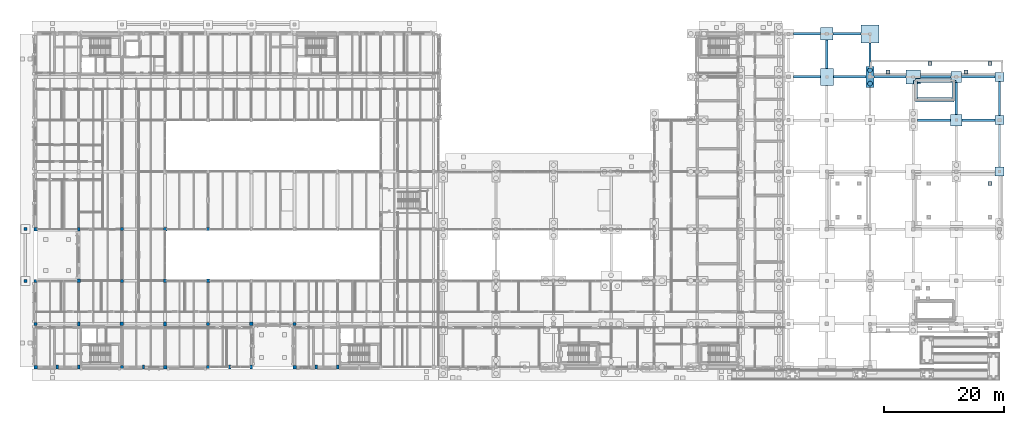
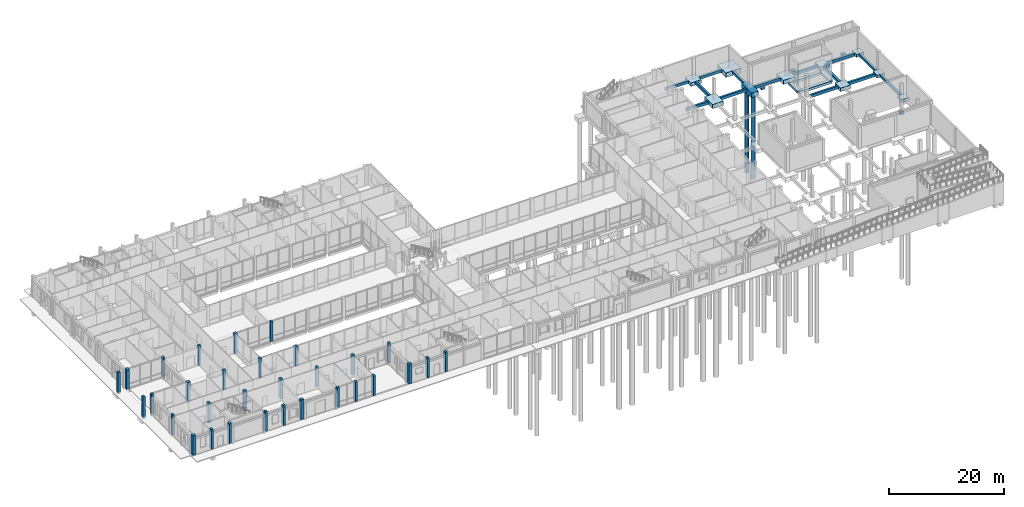
# One storey, part 5 of 104: 33 footings, 31 columns, 2 piles.
"""IFC4 building model written with IfcOpenShell, lengths in metres."""

from ifc_helpers import new_model, si_unit, direction, frame, origin, origin_2d, place, context, subcontext, project, spatial, rectangle, circle, extrude, material, layer, layer_set, material_profile, profile_set, type_object, element, save


model = new_model("IFC4")

# Units and contexts
model_context = context("Model", 3, precision=1e-05, world=origin(), true_north=direction((0.0, 1.0)))
body_context = subcontext(model_context, "Body", "Model", "MODEL_VIEW")
ifc_project = project(units=[si_unit("LENGTHUNIT", "METRE"), si_unit("AREAUNIT", "SQUARE_METRE"), si_unit("VOLUMEUNIT", "CUBIC_METRE"), si_unit("PLANEANGLEUNIT", "RADIAN"), si_unit("MASSUNIT", "GRAM", prefix="KILO")], contexts=[model_context])

# Site, building, storey
site_placement = place(None, origin())
site = spatial("IfcSite", under=ifc_project, at=site_placement, CompositionType="ELEMENT")
building_placement = place(site_placement, origin())
building = spatial("IfcBuilding", under=site, at=building_placement, Name="Hawrajan Terrace Health Centre", CompositionType="ELEMENT")
storey_placement = place(building_placement, origin())
storey = spatial("IfcBuildingStorey", under=building, at=storey_placement, Name="L00", CompositionType="ELEMENT", Elevation=0.0)

# Piles
ifc_material = material(Name="Concrete C40/50", Category="concrete")
ifc_material_profile_1 = material_profile(ifc_material, circle(Radius=0.39990234375, at=origin_2d()), Name="BP 800")
ifc_profile_set_1 = profile_set([ifc_material_profile_1], Name="Concrete C40/50")
pile_type = type_object("IfcPileType", Name="BoredPile_800", PredefinedType="BORED", material=ifc_profile_set_1)
for number, where, z_axis, x_axis, name in (
    (1, (143.800048828125, 51.5, -0.5), (0.0, 0.0, -1.0), (1.0, 0.0, 0.0), "Bored pile P-349"),
    (2, (143.800048828125, 53.699951171875, -0.5), (0.0, 0.0, -1.0), (1.0, 0.0, 0.0), "Bored pile P-350"),
):
    element("IfcPile", number, at=place(storey_placement, frame(where, z_axis=z_axis, x_axis=x_axis)), inside=storey, type_object=pile_type, Name=name, PredefinedType="BORED", context=body_context, shape_type="SweptSolid", body=[
        extrude(circle(Radius=0.39990234375, at=origin_2d()), origin(), (0.0, 0.0, 1.0), 18.5),
    ])

# Footings
ifc_material_profile_2 = material_profile(ifc_material, rectangle(XDim=0.39990234375, YDim=0.60009765625, at=origin_2d()), Name="RC BM 400x600")
ifc_profile_set_2 = profile_set([ifc_material_profile_2], Name="Concrete C40/50")
footing_type_1 = type_object("IfcFootingType", Name="GroundBeam_400x600", PredefinedType="FOOTING_BEAM", material=ifc_profile_set_2)
footing_1_placement = place(storey_placement, frame((131.02490234375, 52.60009765625, -0.699951171875), z_axis=(1.0, 0.0, 0.0), x_axis=(0.0, 1.0, 0.0)))
element("IfcFooting", 3, at=footing_1_placement, inside=storey, type_object=footing_type_1, Name="Ground tie beam GB-X-E-17-7", PredefinedType="FOOTING_BEAM", context=body_context, shape_type="SweptSolid", body=[
    extrude(rectangle(XDim=0.39990234375, YDim=0.60009765625, at=origin_2d()), origin(), (0.0, 0.0, 1.0), 4.47509765625),
])
footing_2_placement = place(storey_placement, frame((131.02490234375, 59.800048828125, -0.699951171875), z_axis=(1.0, 0.0, 0.0), x_axis=(0.0, 1.0, 0.0)))
element("IfcFooting", 4, at=footing_2_placement, inside=storey, type_object=footing_type_1, Name="Ground tie beam GB-X-E-17-8", PredefinedType="FOOTING_BEAM", context=body_context, shape_type="SweptSolid", body=[
    extrude(rectangle(XDim=0.39990234375, YDim=0.60009765625, at=origin_2d()), origin(), (0.0, 0.0, 1.0), 4.525146484375),
])
footing_3_placement = place(storey_placement, frame((137.699951171875, 52.60009765625, -0.699951171875), z_axis=(1.0, 0.0, 0.0), x_axis=(0.0, 1.0, 0.0)))
element("IfcFooting", 5, at=footing_3_placement, inside=storey, type_object=footing_type_1, Name="Ground tie beam GB-X-E-18-7", PredefinedType="FOOTING_BEAM", context=body_context, shape_type="SweptSolid", body=[
    extrude(rectangle(XDim=0.39990234375, YDim=0.60009765625, at=origin_2d()), origin(), (0.0, 0.0, 1.0), 5.400146484375),
])
footing_4_placement = place(storey_placement, frame((136.60009765625, 54.0, -0.699951171875), z_axis=(0.0, 1.0, 0.0), x_axis=(-1.0, 0.0, 0.0)))
element("IfcFooting", 6, at=footing_4_placement, inside=storey, type_object=footing_type_1, Name="Ground tie beam GB-Y-E-18-7", PredefinedType="FOOTING_BEAM", context=body_context, shape_type="SweptSolid", body=[
    extrude(rectangle(XDim=0.39990234375, YDim=0.60009765625, at=origin_2d()), origin(), (0.0, 0.0, 1.0), 4.75),
])
footing_5_placement = place(storey_placement, frame((137.64990234375, 59.800048828125, -0.699951171875), z_axis=(1.0, 0.0, 0.0), x_axis=(0.0, 1.0, 0.0)))
element("IfcFooting", 7, at=footing_5_placement, inside=storey, type_object=footing_type_1, Name="Ground tie beam GB-X-E-18-8", PredefinedType="FOOTING_BEAM", context=body_context, shape_type="SweptSolid", body=[
    extrude(rectangle(XDim=0.39990234375, YDim=0.60009765625, at=origin_2d()), origin(), (0.0, 0.0, 1.0), 4.650146484375),
])
footing_6_placement = place(storey_placement, frame((144.5, 52.60009765625, -0.699951171875), z_axis=(1.0, 0.0, 0.0), x_axis=(0.0, 1.0, 0.0)))
element("IfcFooting", 8, at=footing_6_placement, inside=storey, type_object=footing_type_1, Name="Ground tie beam GB-X-E-19-7", PredefinedType="FOOTING_BEAM", context=body_context, shape_type="SweptSolid", body=[
    extrude(rectangle(XDim=0.39990234375, YDim=0.60009765625, at=origin_2d()), origin(), (0.0, 0.0, 1.0), 5.300048828125),
])
footing_7_placement = place(storey_placement, frame((143.800048828125, 54.35009765625, -0.699951171875), z_axis=(0.0, 1.0, 0.0), x_axis=(-1.0, 0.0, 0.0)))
element("IfcFooting", 9, at=footing_7_placement, inside=storey, type_object=footing_type_1, Name="Ground tie beam GB-Y-E-19-7", PredefinedType="FOOTING_BEAM", context=body_context, shape_type="SweptSolid", body=[
    extrude(rectangle(XDim=0.39990234375, YDim=0.60009765625, at=origin_2d()), origin(), (0.0, 0.0, 1.0), 3.949951171875),
])
footing_8_placement = place(storey_placement, frame((151.699951171875, 45.39990234375, -0.699951171875), z_axis=(1.0, 0.0, 0.0), x_axis=(0.0, 1.0, 0.0)))
element("IfcFooting", 10, at=footing_8_placement, inside=storey, type_object=footing_type_1, Name="Ground tie beam GB-X-E-20-6", PredefinedType="FOOTING_BEAM", context=body_context, shape_type="SweptSolid", body=[
    extrude(rectangle(XDim=0.39990234375, YDim=0.60009765625, at=origin_2d()), origin(), (0.0, 0.0, 1.0), 5.525146484375),
])
footing_9_placement = place(storey_placement, frame((152.199951171875, 52.60009765625, -0.699951171875), z_axis=(1.0, 0.0, 0.0), x_axis=(0.0, 1.0, 0.0)))
element("IfcFooting", 11, at=footing_9_placement, inside=storey, type_object=footing_type_1, Name="Ground tie beam GB-X-E-20-7", PredefinedType="FOOTING_BEAM", context=body_context, shape_type="SweptSolid", body=[
    extrude(rectangle(XDim=0.39990234375, YDim=0.60009765625, at=origin_2d()), origin(), (0.0, 0.0, 1.0), 5.10009765625),
])
footing_10_placement = place(storey_placement, frame((159.175048828125, 45.39990234375, -0.699951171875), z_axis=(1.0, 0.0, 0.0), x_axis=(0.0, 1.0, 0.0)))
element("IfcFooting", 12, at=footing_10_placement, inside=storey, type_object=footing_type_1, Name="Ground tie beam GB-X-E-21-6", PredefinedType="FOOTING_BEAM", context=body_context, shape_type="SweptSolid", body=[
    extrude(rectangle(XDim=0.39990234375, YDim=0.60009765625, at=origin_2d()), origin(), (0.0, 0.0, 1.0), 5.474853515625),
])
footing_11_placement = place(storey_placement, frame((158.199951171875, 46.375, -0.699951171875), z_axis=(0.0, 1.0, 0.0), x_axis=(-1.0, 0.0, 0.0)))
element("IfcFooting", 13, at=footing_11_placement, inside=storey, type_object=footing_type_1, Name="Ground tie beam GB-Y-E-21-6", PredefinedType="FOOTING_BEAM", context=body_context, shape_type="SweptSolid", body=[
    extrude(rectangle(XDim=0.39990234375, YDim=0.60009765625, at=origin_2d()), origin(), (0.0, 0.0, 1.0), 5.324951171875),
])
footing_12_placement = place(storey_placement, frame((159.10009765625, 52.60009765625, -0.699951171875), z_axis=(1.0, 0.0, 0.0), x_axis=(0.0, 1.0, 0.0)))
element("IfcFooting", 14, at=footing_12_placement, inside=storey, type_object=footing_type_1, Name="Ground tie beam GB-X-E-21-7", PredefinedType="FOOTING_BEAM", context=body_context, shape_type="SweptSolid", body=[
    extrude(rectangle(XDim=0.39990234375, YDim=0.60009765625, at=origin_2d()), origin(), (0.0, 0.0, 1.0), 5.5498046875),
])
footing_13_placement = place(storey_placement, frame((165.39990234375, 37.550048828125, -0.699951171875), z_axis=(0.0, 1.0, 0.0), x_axis=(-1.0, 0.0, 0.0)))
element("IfcFooting", 15, at=footing_13_placement, inside=storey, type_object=footing_type_1, Name="Ground tie beam GB-Y-E-22-5", PredefinedType="FOOTING_BEAM", context=body_context, shape_type="SweptSolid", body=[
    extrude(rectangle(XDim=0.39990234375, YDim=0.60009765625, at=origin_2d()), origin(), (0.0, 0.0, 1.0), 7.099853515625),
])
footing_14_placement = place(storey_placement, frame((165.39990234375, 46.14990234375, -0.699951171875), z_axis=(0.0, 1.0, 0.0), x_axis=(-1.0, 0.0, 0.0)))
element("IfcFooting", 16, at=footing_14_placement, inside=storey, type_object=footing_type_1, Name="Ground tie beam GB-Y-E-22-6", PredefinedType="FOOTING_BEAM", context=body_context, shape_type="SweptSolid", body=[
    extrude(rectangle(XDim=0.39990234375, YDim=0.60009765625, at=origin_2d()), origin(), (0.0, 0.0, 1.0), 5.7001953125),
])
ifc_layer_1 = layer(ifc_material, 0.60009765625)
ifc_layer_set_1 = layer_set([ifc_layer_1], Name="Concrete C40/50")
footing_type_2 = type_object("IfcFootingType", Name="PadFooting_1500", PredefinedType="PAD_FOOTING", material=ifc_layer_set_1)
for number, where, z_axis, x_axis, name in (
    (17, (165.39990234375, 36.800048828125, -1.0), (0.0, 0.0, 1.0), (1.0, 0.0, 0.0), "Foundation FT-E-X22-Y5"),
    (18, (165.39990234375, 45.39990234375, -1.0), (0.0, 0.0, 1.0), (1.0, 0.0, 0.0), "Foundation FT-E-X22-Y6"),
    (19, (165.39990234375, 52.60009765625, -1.0), (0.0, 0.0, 1.0), (1.0, 0.0, 0.0), "Foundation FT-E-X22-Y7"),
):
    element("IfcFooting", number, at=place(storey_placement, frame(where, z_axis=z_axis, x_axis=x_axis)), inside=storey, type_object=footing_type_2, Name=name, PredefinedType="PAD_FOOTING", context=body_context, shape_type="SweptSolid", body=[
        extrude(rectangle(XDim=1.5, YDim=1.5, at=origin_2d()), origin(), (0.0, 0.0, 1.0), 0.60009765625),
    ])
ifc_layer_2 = layer(ifc_material, 0.699951171875)
ifc_layer_set_2 = layer_set([ifc_layer_2], Name="Concrete C40/50")
footing_type_3 = type_object("IfcFootingType", Name="PadFooting_1800", PredefinedType="PAD_FOOTING", material=ifc_layer_set_2)
footing_15_placement = place(storey_placement, frame((158.199951171875, 52.60009765625, -1.10009765625), z_axis=(0.0, 0.0, 1.0), x_axis=(1.0, 0.0, 0.0)))
element("IfcFooting", 20, at=footing_15_placement, inside=storey, type_object=footing_type_3, Name="Foundation FT-E-X21-Y7", PredefinedType="PAD_FOOTING", context=body_context, shape_type="SweptSolid", body=[
    extrude(rectangle(XDim=1.800048828125, YDim=1.800048828125, at=origin_2d()), origin(), (0.0, 0.0, 1.0), 0.699951171875),
])
ifc_layer_3 = layer(ifc_material, 0.719970703125)
ifc_layer_set_3 = layer_set([ifc_layer_3], Name="Concrete C40/50")
footing_type_4 = type_object("IfcFootingType", Name="PadFooting_1950", PredefinedType="PAD_FOOTING", material=ifc_layer_set_3)
footing_16_placement = place(storey_placement, frame((158.199951171875, 45.39990234375, -1.1201171875), z_axis=(0.0, 0.0, 1.0), x_axis=(1.0, 0.0, 0.0)))
element("IfcFooting", 21, at=footing_16_placement, inside=storey, type_object=footing_type_4, Name="Foundation FT-E-X21-Y6", PredefinedType="PAD_FOOTING", context=body_context, shape_type="SweptSolid", body=[
    extrude(rectangle(XDim=1.949951171875, YDim=1.949951171875, at=origin_2d()), origin(), (0.0, 0.0, 1.0), 0.719970703125),
])
ifc_layer_4 = layer(ifc_material, 0.75)
ifc_layer_set_4 = layer_set([ifc_layer_4], Name="Concrete C40/50")
footing_type_5 = type_object("IfcFootingType", Name="PadFooting_2100", PredefinedType="PAD_FOOTING", material=ifc_layer_set_4)
footing_17_placement = place(storey_placement, frame((136.60009765625, 59.800048828125, -1.14990234375), z_axis=(0.0, 0.0, 1.0), x_axis=(1.0, 0.0, 0.0)))
element("IfcFooting", 22, at=footing_17_placement, inside=storey, type_object=footing_type_5, Name="Foundation FT-E-X18-Y8", PredefinedType="PAD_FOOTING", context=body_context, shape_type="SweptSolid", body=[
    extrude(rectangle(XDim=2.10009765625, YDim=2.10009765625, at=origin_2d()), origin(), (0.0, 0.0, 1.0), 0.75),
])
ifc_layer_5 = layer(ifc_material, 0.85009765625)
ifc_layer_set_5 = layer_set([ifc_layer_5], Name="Concrete C40/50")
footing_type_6 = type_object("IfcFootingType", Name="PadFooting_2200x2800", PredefinedType="PAD_FOOTING", material=ifc_layer_set_5)
footing_18_placement = place(storey_placement, frame((136.60009765625, 52.60009765625, -1.25), z_axis=(0.0, 0.0, 1.0), x_axis=(1.0, 0.0, 0.0)))
element("IfcFooting", 23, at=footing_18_placement, inside=storey, type_object=footing_type_6, Name="Foundation FT-E-X18-Y7", PredefinedType="PAD_FOOTING", context=body_context, shape_type="SweptSolid", body=[
    extrude(rectangle(XDim=2.199951171875, YDim=2.800048828125, at=origin_2d()), origin(), (0.0, 0.0, 1.0), 0.85009765625),
])
ifc_layer_6 = layer(ifc_material, 0.85009765625)
ifc_layer_set_6 = layer_set([ifc_layer_6], Name="Concrete C40/50")
footing_type_7 = type_object("IfcFootingType", Name="PadFooting_2400", PredefinedType="PAD_FOOTING", material=ifc_layer_set_6)
footing_19_placement = place(storey_placement, frame((151.0, 52.60009765625, -1.25), z_axis=(0.0, 0.0, 1.0), x_axis=(1.0, 0.0, 0.0)))
element("IfcFooting", 24, at=footing_19_placement, inside=storey, type_object=footing_type_7, Name="Foundation FT-E-X20-Y7", PredefinedType="PAD_FOOTING", context=body_context, shape_type="SweptSolid", body=[
    extrude(rectangle(XDim=2.39990234375, YDim=2.39990234375, at=origin_2d()), origin(), (0.0, 0.0, 1.0), 0.85009765625),
])
ifc_layer_7 = layer(ifc_material, 0.949951171875)
ifc_layer_set_7 = layer_set([ifc_layer_7], Name="Concrete C40/50")
footing_type_8 = type_object("IfcFootingType", Name="PadFooting_3000", PredefinedType="PAD_FOOTING", material=ifc_layer_set_7)
footing_20_placement = place(storey_placement, frame((143.800048828125, 59.800048828125, -1.35009765625), z_axis=(0.0, 0.0, 1.0), x_axis=(1.0, 0.0, 0.0)))
element("IfcFooting", 25, at=footing_20_placement, inside=storey, type_object=footing_type_8, Name="Foundation FT-E-X19-Y8", PredefinedType="PAD_FOOTING", context=body_context, shape_type="SweptSolid", body=[
    extrude(rectangle(XDim=3.0, YDim=3.0, at=origin_2d()), origin(), (0.0, 0.0, 1.0), 0.949951171875),
])
ifc_layer_8 = layer(ifc_material, 0.699951171875)
ifc_layer_set_8 = layer_set([ifc_layer_8], Name="Concrete C40/50")
footing_type_9 = type_object("IfcFootingType", Name="PadFooting_700", PredefinedType="PAD_FOOTING", material=ifc_layer_set_8)
for number, where, z_axis, x_axis, name in (
    (26, (163.800048828125, 34.800048828125, -2.2998046875), (0.0, 0.0, 1.0), (1.0, 0.0, 0.0), "Escarpment plinth pad footing APRON-L01-EAST-GAIT-3"),
    (27, (146.800048828125, 53.449951171875, -2.2998046875), (0.0, 0.0, 1.0), (1.0, 0.0, 0.0), "Escarpment plinth pad footing APRON-L01-EAST-NORTH-1"),
    (28, (153.800048828125, 54.85009765625, -2.2998046875), (0.0, 0.0, 1.0), (1.0, 0.0, 0.0), "Escarpment plinth pad footing APRON-L01-EAST-NORTH-2"),
    (29, (159.800048828125, 53.449951171875, -2.2998046875), (0.0, 0.0, 1.0), (1.0, 0.0, 0.0), "Escarpment plinth pad footing APRON-L01-EAST-NORTH-3"),
    (30, (163.800048828125, 54.85009765625, -2.2998046875), (0.0, 0.0, 1.0), (1.0, 0.0, 0.0), "Escarpment plinth pad footing APRON-L01-EAST-NORTH-4"),
):
    element("IfcFooting", number, at=place(storey_placement, frame(where, z_axis=z_axis, x_axis=x_axis)), inside=storey, type_object=footing_type_9, Name=name, PredefinedType="PAD_FOOTING", context=body_context, shape_type="SweptSolid", body=[
        extrude(rectangle(XDim=0.699951171875, YDim=0.699951171875, at=origin_2d()), origin(), (0.0, 0.0, 1.0), 0.699951171875),
    ])
ifc_layer_9 = layer(ifc_material, 1.0)
ifc_layer_set_9 = layer_set([ifc_layer_9], Name="Concrete C40/50")
footing_type_10 = type_object("IfcFootingType", Name="PileCap_2P800_NS", PredefinedType="PILE_CAP", material=ifc_layer_set_9)
footing_21_placement = place(storey_placement, frame((143.800048828125, 52.60009765625, -1.39990234375), z_axis=(0.0, 0.0, 1.0), x_axis=(1.0, 0.0, 0.0)))
element("IfcFooting", 31, at=footing_21_placement, inside=storey, type_object=footing_type_10, Name="Foundation FT-E-X19-Y7", PredefinedType="PILE_CAP", context=body_context, shape_type="SweptSolid", body=[
    extrude(rectangle(XDim=1.39990234375, YDim=3.5, at=origin_2d()), origin(), (0.0, 0.0, 1.0), 1.0),
])
ifc_material_profile_3 = material_profile(ifc_material, rectangle(XDim=0.699951171875, YDim=0.5, at=origin_2d()), Name="RC STRIP 700x500")
ifc_profile_set_3 = profile_set([ifc_material_profile_3], Name="Concrete C40/50")
footing_type_11 = type_object("IfcFootingType", Name="StripFooting_700x500", PredefinedType="STRIP_FOOTING", material=ifc_profile_set_3)
for number, where, z_axis, x_axis, name in (
    (32, (151.39990234375, 48.800048828125, -1.75), (1.0, 0.0, 0.0), (0.0, 1.0, 0.0), "Stair shaft strip footing S9-S"),
    (33, (151.39990234375, 52.0, -1.75), (1.0, 0.0, 0.0), (0.0, 1.0, 0.0), "Stair shaft strip footing S9-N"),
):
    element("IfcFooting", number, at=place(storey_placement, frame(where, z_axis=z_axis, x_axis=x_axis)), inside=storey, type_object=footing_type_11, Name=name, PredefinedType="STRIP_FOOTING", context=body_context, shape_type="SweptSolid", body=[
        extrude(rectangle(XDim=0.699951171875, YDim=0.5, at=origin_2d()), origin(), (0.0, 0.0, 1.0), 6.400146484375),
    ])
for number, where, z_axis, x_axis, name in (
    (34, (151.39990234375, 48.800048828125, -1.75), (0.0, 1.0, 0.0), (-1.0, 0.0, 0.0), "Stair shaft strip footing S9-W"),
    (35, (157.800048828125, 48.800048828125, -1.75), (0.0, 1.0, 0.0), (-1.0, 0.0, 0.0), "Stair shaft strip footing S9-E"),
):
    element("IfcFooting", number, at=place(storey_placement, frame(where, z_axis=z_axis, x_axis=x_axis)), inside=storey, type_object=footing_type_11, Name=name, PredefinedType="STRIP_FOOTING", context=body_context, shape_type="SweptSolid", body=[
        extrude(rectangle(XDim=0.699951171875, YDim=0.5, at=origin_2d()), origin(), (0.0, 0.0, 1.0), 3.199951171875),
    ])

# Columns
ifc_material_profile_4 = material_profile(ifc_material, rectangle(XDim=0.449951171875, YDim=0.64990234375, at=origin_2d()), Name="RC 450x650")
ifc_profile_set_4 = profile_set([ifc_material_profile_4], Name="Concrete C40/50")
column_type_1 = type_object("IfcColumnType", Name="RCCol_450x650", PredefinedType="COLUMN", material=ifc_profile_set_4)
for number, where, z_axis, x_axis, name in (
    (36, (11.800048828125, 4.199951171875, 0.0), (0.0, 0.0, 1.0), (1.0, 0.0, 0.0), "Column COL-L00-W-X02-Y1"),
    (37, (11.800048828125, 11.39990234375, 0.0), (0.0, 0.0, 1.0), (1.0, 0.0, 0.0), "Column COL-L00-W-X02-Y2"),
    (38, (11.800048828125, 27.199951171875, 0.0), (0.0, 0.0, 1.0), (1.0, 0.0, 0.0), "Column COL-L00-W-X02-Y4"),
    (39, (26.199951171875, 11.39990234375, 0.0), (0.0, 0.0, 1.0), (1.0, 0.0, 0.0), "Column COL-L00-W-X04-Y2"),
    (40, (26.199951171875, 18.60009765625, 0.0), (0.0, 0.0, 1.0), (1.0, 0.0, 0.0), "Column COL-L00-W-X04-Y3"),
    (41, (40.60009765625, 4.199951171875, 0.0), (0.0, 0.0, 1.0), (1.0, 0.0, 0.0), "Column COL-L00-W-X06-Y1"),
    (42, (55.0, 4.199951171875, 0.0), (0.0, 0.0, 1.0), (1.0, 0.0, 0.0), "Column COL-L00-W-X08-Y1"),
):
    element("IfcColumn", number, at=place(storey_placement, frame(where, z_axis=z_axis, x_axis=x_axis)), inside=storey, type_object=column_type_1, Name=name, PredefinedType="COLUMN", context=body_context, shape_type="SweptSolid", body=[
        extrude(rectangle(XDim=0.449951171875, YDim=0.64990234375, at=origin_2d()), origin(), (0.0, 0.0, 1.0), 4.199951171875),
    ])
ifc_material_profile_5 = material_profile(ifc_material, rectangle(XDim=0.5, YDim=0.5, at=origin_2d()), Name="RC 500x500")
ifc_profile_set_5 = profile_set([ifc_material_profile_5], Name="Concrete C40/50")
column_type_2 = type_object("IfcColumnType", Name="RCCol_500x500", PredefinedType="COLUMN", material=ifc_profile_set_5)
for number, where, z_axis, x_axis, name in (
    (43, (4.60009765625, 11.39990234375, 0.0), (0.0, 0.0, 1.0), (1.0, 0.0, 0.0), "Column COL-L00-W-X01-Y2"),
    (44, (4.60009765625, 18.60009765625, 0.0), (0.0, 0.0, 1.0), (1.0, 0.0, 0.0), "Column COL-L00-W-X01-Y3"),
    (45, (19.0, 4.199951171875, 0.0), (0.0, 0.0, 1.0), (1.0, 0.0, 0.0), "Column COL-L00-W-X03-Y1"),
    (46, (19.0, 18.60009765625, 0.0), (0.0, 0.0, 1.0), (1.0, 0.0, 0.0), "Column COL-L00-W-X03-Y3"),
    (47, (19.0, 27.199951171875, 0.0), (0.0, 0.0, 1.0), (1.0, 0.0, 0.0), "Column COL-L00-W-X03-Y4"),
    (48, (33.39990234375, 4.199951171875, 0.0), (0.0, 0.0, 1.0), (1.0, 0.0, 0.0), "Column COL-L00-W-X05-Y1"),
    (49, (33.39990234375, 11.39990234375, 0.0), (0.0, 0.0, 1.0), (1.0, 0.0, 0.0), "Column COL-L00-W-X05-Y2"),
    (50, (33.39990234375, 27.199951171875, 0.0), (0.0, 0.0, 1.0), (1.0, 0.0, 0.0), "Column COL-L00-W-X05-Y4"),
    (51, (47.800048828125, 11.39990234375, 0.0), (0.0, 0.0, 1.0), (1.0, 0.0, 0.0), "Column COL-L00-W-X07-Y2"),
):
    element("IfcColumn", number, at=place(storey_placement, frame(where, z_axis=z_axis, x_axis=x_axis)), inside=storey, type_object=column_type_2, Name=name, PredefinedType="COLUMN", context=body_context, shape_type="SweptSolid", body=[
        extrude(rectangle(XDim=0.5, YDim=0.5, at=origin_2d()), origin(), (0.0, 0.0, 1.0), 4.199951171875),
    ])
for number, where, z_axis, x_axis, name in (
    (52, (2.89990234375, 18.60009765625, -0.39990234375), (0.0, 0.0, 1.0), (1.0, 0.0, 0.0), "Patient drop-off portico column 1"),
    (53, (2.89990234375, 27.199951171875, -0.39990234375), (0.0, 0.0, 1.0), (1.0, 0.0, 0.0), "Patient drop-off portico column 2"),
):
    element("IfcColumn", number, at=place(storey_placement, frame(where, z_axis=z_axis, x_axis=x_axis)), inside=storey, type_object=column_type_2, Name=name, PredefinedType="COLUMN", context=body_context, shape_type="SweptSolid", body=[
        extrude(rectangle(XDim=0.5, YDim=0.5, at=origin_2d()), origin(), (0.0, 0.0, 1.0), 4.599853515625),
    ])
ifc_material_profile_6 = material_profile(ifc_material, rectangle(XDim=0.60009765625, YDim=0.60009765625, at=origin_2d()), Name="RC 600x600")
ifc_profile_set_6 = profile_set([ifc_material_profile_6], Name="Concrete C40/50")
column_type_3 = type_object("IfcColumnType", Name="RCCol_600x600", PredefinedType="COLUMN", material=ifc_profile_set_6)
for number, where, z_axis, x_axis, name in (
    (54, (4.60009765625, 4.199951171875, 0.0), (0.0, 0.0, 1.0), (1.0, 0.0, 0.0), "Column COL-L00-W-X01-Y1"),
    (55, (4.60009765625, 27.199951171875, 0.0), (0.0, 0.0, 1.0), (1.0, 0.0, 0.0), "Column COL-L00-W-X01-Y4"),
    (56, (11.800048828125, 18.60009765625, 0.0), (0.0, 0.0, 1.0), (1.0, 0.0, 0.0), "Column COL-L00-W-X02-Y3"),
    (57, (19.0, 11.39990234375, 0.0), (0.0, 0.0, 1.0), (1.0, 0.0, 0.0), "Column COL-L00-W-X03-Y2"),
    (58, (26.199951171875, 4.199951171875, 0.0), (0.0, 0.0, 1.0), (1.0, 0.0, 0.0), "Column COL-L00-W-X04-Y1"),
    (59, (26.199951171875, 27.199951171875, 0.0), (0.0, 0.0, 1.0), (1.0, 0.0, 0.0), "Column COL-L00-W-X04-Y4"),
    (60, (33.39990234375, 18.60009765625, 0.0), (0.0, 0.0, 1.0), (1.0, 0.0, 0.0), "Column COL-L00-W-X05-Y3"),
    (61, (40.60009765625, 11.39990234375, 0.0), (0.0, 0.0, 1.0), (1.0, 0.0, 0.0), "Column COL-L00-W-X06-Y2"),
    (62, (47.800048828125, 4.199951171875, 0.0), (0.0, 0.0, 1.0), (1.0, 0.0, 0.0), "Column COL-L00-W-X07-Y1"),
):
    element("IfcColumn", number, at=place(storey_placement, frame(where, z_axis=z_axis, x_axis=x_axis)), inside=storey, type_object=column_type_3, Name=name, PredefinedType="COLUMN", context=body_context, shape_type="SweptSolid", body=[
        extrude(rectangle(XDim=0.60009765625, YDim=0.60009765625, at=origin_2d()), origin(), (0.0, 0.0, 1.0), 4.199951171875),
    ])
ifc_material_profile_7 = material_profile(ifc_material, rectangle(XDim=0.39990234375, YDim=0.6201171875, at=origin_2d()), Name="RC PIL 400x620")
ifc_profile_set_7 = profile_set([ifc_material_profile_7], Name="Concrete C40/50")
column_type_4 = type_object("IfcColumnType", Name="RCPilaster_400x620", PredefinedType="PILASTER", material=ifc_profile_set_7)
for number, where, z_axis, x_axis, name in (
    (63, (8.199951171875, 4.199951171875, 0.0), (0.0, 0.0, 1.0), (1.0, 0.0, 0.0), "Art Deco fluted pilaster L00-01-Y1"),
    (64, (22.60009765625, 4.199951171875, 0.0), (0.0, 0.0, 1.0), (1.0, 0.0, 0.0), "Art Deco fluted pilaster L00-03-Y1"),
    (65, (37.0, 4.199951171875, 0.0), (0.0, 0.0, 1.0), (1.0, 0.0, 0.0), "Art Deco fluted pilaster L00-05-Y1"),
    (66, (51.39990234375, 4.199951171875, 0.0), (0.0, 0.0, 1.0), (1.0, 0.0, 0.0), "Art Deco fluted pilaster L00-07-Y1"),
):
    element("IfcColumn", number, at=place(storey_placement, frame(where, z_axis=z_axis, x_axis=x_axis)), inside=storey, type_object=column_type_4, Name=name, PredefinedType="PILASTER", context=body_context, shape_type="SweptSolid", body=[
        extrude(rectangle(XDim=0.39990234375, YDim=0.6201171875, at=origin_2d()), origin(), (0.0, 0.0, 1.0), 4.199951171875),
    ])

save(model, "model.ifc")
